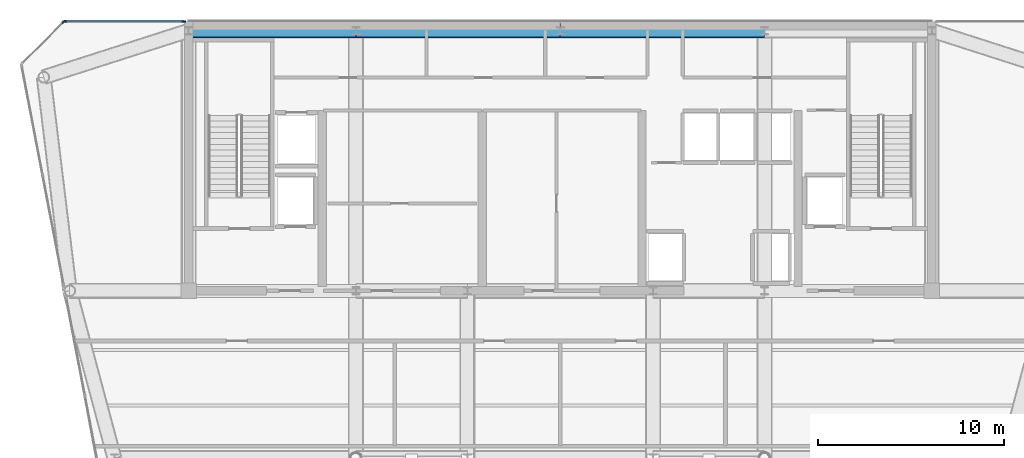
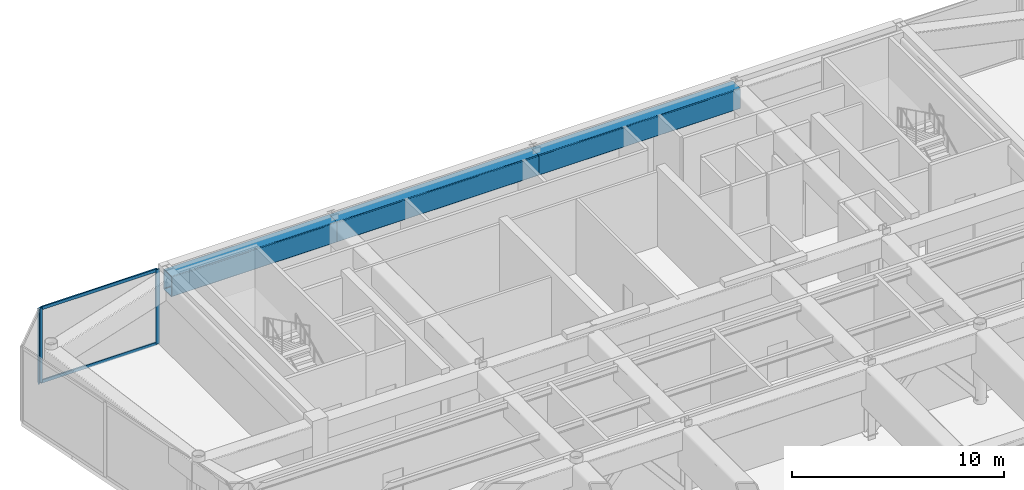
# One storey, part 7 of 14: 5 members, 3 beams, 2 elements without a shape of their own.
"""IFC4 building model written with IfcOpenShell, lengths in metres."""

from ifc_helpers import new_model, si_unit, direction, frame, origin, origin_2d, place, context, subcontext, project, spatial, rectangle, hollow_rectangle, extrude, source, transform, mapped, material, layer, layer_set, material_profile, profile_set, type_object, element, aggregate, save


model = new_model("IFC4")

# Units and contexts
model_context = context("Model", 3, precision=1e-05, world=origin(), true_north=direction((0.0, 1.0)))
body_context = subcontext(model_context, "Body", "Model", "MODEL_VIEW")
ifc_project = project(units=[si_unit("LENGTHUNIT", "METRE"), si_unit("AREAUNIT", "SQUARE_METRE"), si_unit("VOLUMEUNIT", "CUBIC_METRE"), si_unit("PLANEANGLEUNIT", "RADIAN"), si_unit("MASSUNIT", "GRAM", prefix="KILO")], contexts=[model_context])

# Site, building, storey
site_placement = place(None, origin())
site = spatial("IfcSite", under=ifc_project, at=site_placement, CompositionType="ELEMENT")
building_placement = place(site_placement, origin())
building = spatial("IfcBuilding", under=site, at=building_placement, Name="Vaeldorn Concourse Tower", CompositionType="ELEMENT")
storey_placement = place(building_placement, frame((0.0, 0.0, 303.800048828125)))
storey = spatial("IfcBuildingStorey", under=building, at=storey_placement, Name="L78", CompositionType="ELEMENT", Elevation=303.800048828125)

# Beams
ifc_material_1 = material(Name="Steel S460", Category="steel")
ifc_material_profile_1 = material_profile(ifc_material_1, hollow_rectangle(XDim=0.800048828125, YDim=1.199951171875, WallThickness=0.044921875, InnerFilletRadius=0.044921875, OuterFilletRadius=0.090087890625, at=origin_2d()), Name="RHS 1200x800x45")
ifc_profile_set_1 = profile_set([ifc_material_profile_1], Name="Steel S460")
beam_type = type_object("IfcBeamType", Name="BM-TG-RHS1200", PredefinedType="BEAM", material=ifc_profile_set_1)
shared_shape_1 = source(origin(), body_context, "Body", "SweptSolid", [
    extrude(hollow_rectangle(XDim=0.800048828125, YDim=1.199951171875, WallThickness=0.044921875, InnerFilletRadius=0.044921875, OuterFilletRadius=0.090087890625, at=origin_2d()), origin(), (0.0, 0.0, 1.0), 9.0),
])
beam_placement = place(storey_placement, frame((14.0, 50.5, 3.699951171875), z_axis=(1.0, 0.0, 0.0), x_axis=(0.0, 1.0, 0.0)))
element("IfcBeam", 1, at=beam_placement, inside=storey, type_object=beam_type, Name="Beam BM-L78-C-HC1-C-HC2", PredefinedType="BEAM", context=body_context, shape_type="MappedRepresentation", body=[
    mapped(shared_shape_1, transform((0.0, 0.0, 0.0), scale=1.0)),
])
shared_shape_2 = source(origin(), body_context, "Body", "SweptSolid", [
    extrude(hollow_rectangle(XDim=0.800048828125, YDim=1.199951171875, WallThickness=0.044921875, InnerFilletRadius=0.044921875, OuterFilletRadius=0.090087890625, at=origin_2d()), origin(), (0.0, 0.0, 1.0), 11.0),
])
for number, where, z_axis, x_axis, name in (
    (2, (23.0, 50.5, 3.699951171875), (1.0, 0.0, 0.0), (0.0, 1.0, 0.0), "Beam BM-L78-C-HC2-C-HC3"),
    (3, (34.0, 50.5, 3.699951171875), (1.0, 0.0, 0.0), (0.0, 1.0, 0.0), "Beam BM-L78-C-HC3-C-HC4"),
):
    element("IfcBeam", number, at=place(storey_placement, frame(where, z_axis=z_axis, x_axis=x_axis)), inside=storey, type_object=beam_type, Name=name, PredefinedType="BEAM", context=body_context, shape_type="MappedRepresentation", body=[
        mapped(shared_shape_2, transform((0.0, 0.0, 0.0), scale=1.0)),
    ])

# Curtain wall, members
ifc_material_2 = material(Name="Anodised Bronze Aluminium", Category="aluminium")
ifc_layer = layer(ifc_material_2, 0.22998046875)
ifc_layer_set = layer_set([ifc_layer], Name="Anodised Bronze Aluminium")
curtain_wall_type = type_object("IfcCurtainWallType", Name="CW-SYS-07", PredefinedType="NOTDEFINED", material=ifc_layer_set)
curtain_wall_1_placement = place(storey_placement, origin())
curtain_wall_1 = element("IfcCurtainWall", 4, at=curtain_wall_1_placement, inside=storey, type_object=curtain_wall_type, Name="Unitised Curtain Wall CW-L78-E05-2", PredefinedType="NOTDEFINED")
ifc_material_profile_2 = material_profile(ifc_material_2, rectangle(XDim=0.074951171875, YDim=0.219970703125, at=origin_2d()), Name="CWM 75x220")
ifc_profile_set_2 = profile_set([ifc_material_profile_2], Name="Anodised Bronze Aluminium")
member_type_1 = type_object("IfcMemberType", Name="CWM-BRONZE-220", PredefinedType="MULLION", material=ifc_profile_set_2)
shared_shape_3 = source(origin(), body_context, "Body", "SweptSolid", [
    extrude(rectangle(XDim=0.074951171875, YDim=0.219970703125, at=origin_2d()), origin(), (0.0, 0.0, 1.0), 4.300048828125),
])
member_1_placement = place(storey_placement, frame((13.742431640625, 51.0, 0.0), z_axis=(0.0, 0.0, 1.0), x_axis=(0.0, -1.0, 0.0)))
member_1 = element("IfcMember", 5, at=member_1_placement, type_object=member_type_1, Name="CW-07 mullion 1", PredefinedType="MULLION", context=body_context, shape_type="MappedRepresentation", body=[
    mapped(shared_shape_3, transform((0.0, 0.0, 0.0), scale=1.0)),
])
member_2_placement = place(storey_placement, frame((7.33740234375, 51.0, 0.0), z_axis=(0.0, 0.0, 1.0), x_axis=(0.0, -1.0, 0.0)))
member_2 = element("IfcMember", 6, at=member_2_placement, type_object=member_type_1, Name="CW-07 mullion 2", PredefinedType="MULLION", context=body_context, shape_type="MappedRepresentation", body=[
    mapped(shared_shape_3, transform((0.0, 0.0, 0.0), scale=1.0)),
])

# Curtain wall, member
curtain_wall_2_placement = place(storey_placement, origin())
curtain_wall_2 = element("IfcCurtainWall", 7, at=curtain_wall_2_placement, inside=storey, type_object=curtain_wall_type, Name="Unitised Curtain Wall CW-L78-E06-1", PredefinedType="NOTDEFINED")
member_3_placement = place(storey_placement, frame((7.2734375, 50.973388671875, 0.0), z_axis=(0.0, 0.0, 1.0), x_axis=(0.707106781187, -0.707106781187, 0.0)))
member_3 = element("IfcMember", 8, at=member_3_placement, type_object=member_type_1, Name="CW-07 mullion 1", PredefinedType="MULLION", context=body_context, shape_type="MappedRepresentation", body=[
    mapped(shared_shape_3, transform((0.0, 0.0, 0.0), scale=1.0)),
])
aggregate(curtain_wall_2, [member_3])

# Member
ifc_material_profile_3 = material_profile(ifc_material_2, rectangle(XDim=0.074951171875, YDim=0.179931640625, at=origin_2d()), Name="CWT 75x180")
ifc_profile_set_3 = profile_set([ifc_material_profile_3], Name="Anodised Bronze Aluminium")
member_type_2 = type_object("IfcMemberType", Name="CWT-BRONZE-180", PredefinedType="USERDEFINED", material=ifc_profile_set_3)
shared_shape_4 = source(origin(), body_context, "Body", "SweptSolid", [
    extrude(rectangle(XDim=0.074951171875, YDim=0.179931640625, at=origin_2d()), origin(), (0.0, 0.0, 1.0), 6.330078125),
])
member_4_placement = place(storey_placement, frame((13.705078125, 51.0, 0.037353515625), z_axis=(-1.0, 0.0, 0.0), x_axis=(0.0, -1.0, 0.0)))
member_4 = element("IfcMember", 9, at=member_4_placement, type_object=member_type_2, Name="CW-07 transom 1.1", ObjectType="TRANSOM", PredefinedType="USERDEFINED", context=body_context, shape_type="MappedRepresentation", body=[
    mapped(shared_shape_4, transform((0.0, 0.0, 0.0), scale=1.0)),
])

member_5_placement = place(storey_placement, frame((13.705078125, 51.0, 4.262451171875), z_axis=(-1.0, 0.0, 0.0), x_axis=(0.0, -1.0, 0.0)))
member_5 = element("IfcMember", 10, at=member_5_placement, type_object=member_type_2, Name="CW-07 transom 1.2", ObjectType="TRANSOM", PredefinedType="USERDEFINED", context=body_context, shape_type="MappedRepresentation", body=[
    mapped(shared_shape_4, transform((0.0, 0.0, 0.0), scale=1.0)),
])

aggregate(curtain_wall_1, [member_1, member_2, member_4, member_5])

save(model, "model.ifc")
